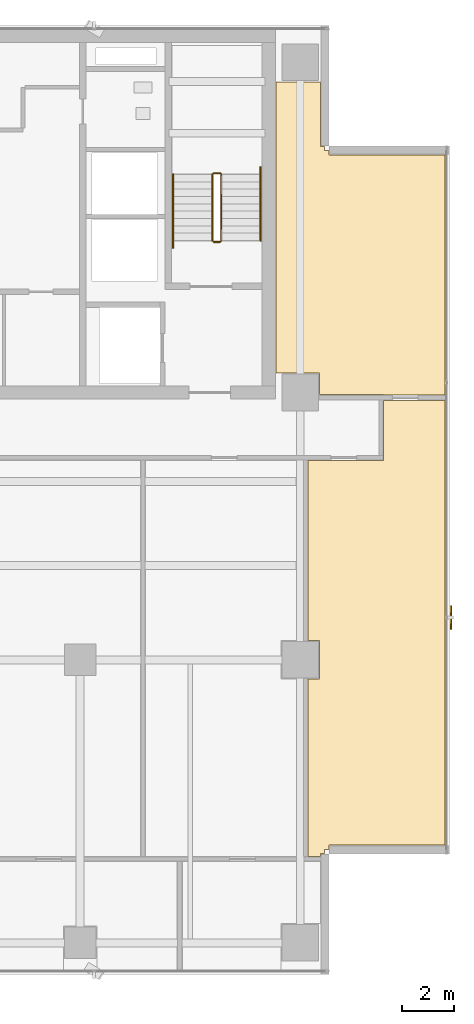
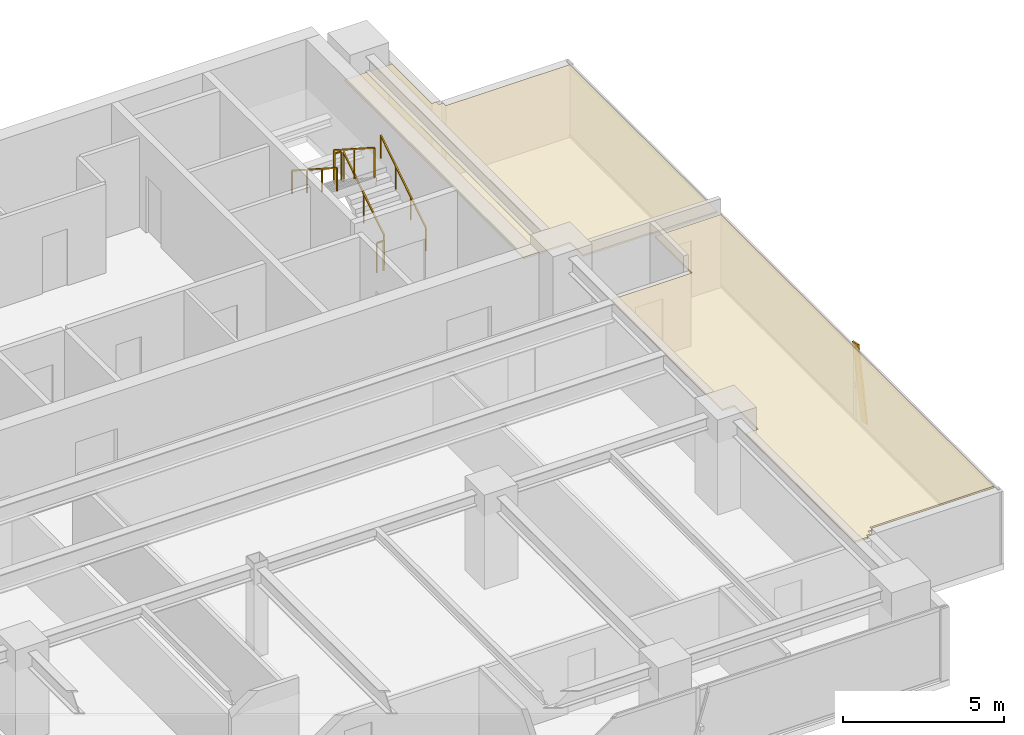
# One storey, part 25 of 27: 6 railings, 2 coverings, 1 shading device.
"""IFC4 building model written with IfcOpenShell, lengths in metres."""

from ifc_helpers import new_model, si_unit, direction, frame, origin, origin_2d, place, context, subcontext, project, spatial, polyline, rectangle, outline, extrude, source, transform, mapped, material, layer, layer_set, material_profile, profile_set, type_object, element, save


model = new_model("IFC4")

# Units and contexts
model_context = context("Model", 3, precision=1e-05, world=origin(), true_north=direction((0.0, 1.0)))
body_context = subcontext(model_context, "Body", "Model", "MODEL_VIEW")
ifc_project = project(units=[si_unit("LENGTHUNIT", "METRE"), si_unit("AREAUNIT", "SQUARE_METRE"), si_unit("VOLUMEUNIT", "CUBIC_METRE"), si_unit("PLANEANGLEUNIT", "RADIAN"), si_unit("MASSUNIT", "GRAM", prefix="KILO")], contexts=[model_context])

# Site, building, storey
site_placement = place(None, origin())
site = spatial("IfcSite", under=ifc_project, at=site_placement, CompositionType="ELEMENT")
building_placement = place(site_placement, origin())
building = spatial("IfcBuilding", under=site, at=building_placement, Name="Sumidabori Civic Tower", CompositionType="ELEMENT")
storey_placement = place(building_placement, frame((0.0, 0.0, 257.60009765625)))
storey = spatial("IfcBuildingStorey", under=building, at=storey_placement, Name="L67", CompositionType="ELEMENT", Elevation=257.60009765625)

# Coverings
ifc_material_1 = material(Name="Gypsum Coffered Acoustic Ceiling")
ifc_layer = layer(ifc_material_1, 0.06494140625, Name="Gypsum Coffered Acoustic Ceiling")
ifc_layer_set = layer_set([ifc_layer], Name="Gypsum Coffered Acoustic Ceiling")
covering_type = type_object("IfcCoveringType", Name="CV-CEIL-AC4", PredefinedType="CEILING", material=ifc_layer_set)
covering_1_placement = place(storey_placement, frame((0.0, 0.0, 2.719970703125)))
element("IfcCovering", 1, at=covering_1_placement, inside=storey, type_object=covering_type, Name="Room Acoustic Ceiling L67-02", PredefinedType="CEILING", context=body_context, shape_type="SweptSolid", body=[
    extrude(outline(polyline([(17.572021484375, 22.06005859375), (17.572021484375, 19.592041015625), (17.72998046875, 19.592041015625), (17.72998046875, 19.429931640625), (17.89208984375, 19.429931640625), (17.89208984375, 19.27197265625), (22.330078125, 19.27197265625), (22.330078125, 10.1025390625), (19.985107421875, 10.1025390625), (19.985107421875, 10.135009765625), (17.5400390625, 10.135009765625), (17.5400390625, 10.93994140625), (15.8779296875, 10.93994140625), (15.8779296875, 22.06005859375), (17.572021484375, 22.06005859375)])), origin(), (0.0, 0.0, 1.0), 0.06494140625),
])
covering_2_placement = place(storey_placement, frame((0.0, 0.0, 2.719970703125)))
element("IfcCovering", 2, at=covering_2_placement, inside=storey, type_object=covering_type, Name="Room Acoustic Ceiling L67-04", PredefinedType="CEILING", context=body_context, shape_type="SweptSolid", body=[
    extrude(outline(polyline([(17.1025390625, -0.739990234375), (17.5400390625, -0.739990234375), (17.5400390625, 0.739990234375), (17.1025390625, 0.739990234375), (17.1025390625, 7.614990234375), (19.985107421875, 7.614990234375), (19.985107421875, 9.8974609375), (22.330078125, 9.8974609375), (22.330078125, -7.072021484375), (17.89208984375, -7.072021484375), (17.89208984375, -7.22998046875), (17.72998046875, -7.22998046875), (17.72998046875, -7.39208984375), (17.572021484375, -7.39208984375), (17.572021484375, -7.49755859375), (17.1025390625, -7.49755859375), (17.1025390625, -0.739990234375)])), origin(), (0.0, 0.0, 1.0), 0.06494140625),
])

# Railings
ifc_material_2 = material(Name="Stainless Steel Hairline Finish", Category="steel")
railing_type_1 = type_object("IfcRailingType", Name="RL-HANDRAIL", PredefinedType="HANDRAIL", material=ifc_material_2)
railing_1_placement = place(storey_placement, frame((15.2900390625, 16.0, 0.179931640625)))
element("IfcRailing", 3, at=railing_1_placement, inside=storey, type_object=railing_type_1, Name="L67 ST-2 stair handrail 1", PredefinedType="HANDRAIL", context=body_context, shape_type="SweptSolid", body=[
    extrude(rectangle(XDim=0.048095703125, YDim=0.048095703125, at=origin_2d()), frame((0.0, 0.0, 0.8759765625), z_axis=(0.0, 0.840675598268, 0.541539046124), x_axis=(-1.0, 0.0, 0.0)), (0.0, 0.0, 1.0), 3.330810546875),
    extrude(rectangle(XDim=0.0419921875, YDim=0.0419921875, at=origin_2d()), origin(), (0.0, 0.0, 1.0), 0.851806640625),
    extrude(rectangle(XDim=0.0419921875, YDim=0.0419921875, at=origin_2d()), frame((0.0, 0.933349609375, 0.601318359375)), (0.0, 0.0, 1.0), 0.851806640625),
    extrude(rectangle(XDim=0.0419921875, YDim=0.0419921875, at=origin_2d()), frame((0.0, 1.86669921875, 1.202392578125)), (0.0, 0.0, 1.0), 0.851806640625),
    extrude(rectangle(XDim=0.0419921875, YDim=0.0419921875, at=origin_2d()), frame((0.0, 2.800048828125, 1.8037109375)), (0.0, 0.0, 1.0), 0.851806640625),
])
railing_2_placement = place(storey_placement, frame((11.949951171875, 18.52001953125, 1.97998046875)))
element("IfcRailing", 4, at=railing_2_placement, inside=storey, type_object=railing_type_1, Name="L67 ST-2 stair handrail 2", PredefinedType="HANDRAIL", context=body_context, shape_type="SweptSolid", body=[
    extrude(rectangle(XDim=0.048095703125, YDim=0.048095703125, at=origin_2d()), frame((0.0, 0.0, 0.8759765625), z_axis=(0.0, -0.840675598268, 0.541539046124), x_axis=(1.0, 0.0, 0.0)), (0.0, 0.0, 1.0), 3.330810546875),
    extrude(rectangle(XDim=0.0419921875, YDim=0.0419921875, at=origin_2d()), origin(), (0.0, 0.0, 1.0), 0.851806640625),
    extrude(rectangle(XDim=0.0419921875, YDim=0.0419921875, at=origin_2d()), frame((0.0, -0.933349609375, 0.601318359375)), (0.0, 0.0, 1.0), 0.851806640625),
    extrude(rectangle(XDim=0.0419921875, YDim=0.0419921875, at=origin_2d()), frame((0.0, -1.86669921875, 1.202392578125)), (0.0, 0.0, 1.0), 0.851806640625),
    extrude(rectangle(XDim=0.0419921875, YDim=0.0419921875, at=origin_2d()), frame((0.0, -2.800048828125, 1.8037109375)), (0.0, 0.0, 1.0), 0.851806640625),
])
ifc_material_3 = material(Name="Steel SN490", Category="steel")
railing_type_2 = type_object("IfcRailingType", Name="RL-STAIR-GUARD", PredefinedType="GUARDRAIL", material=ifc_material_3)
railing_3_placement = place(storey_placement, frame((13.7900390625, 16.0, 0.179931640625)))
element("IfcRailing", 5, at=railing_3_placement, inside=storey, type_object=railing_type_2, Name="L67 ST-2 stair guard 1", PredefinedType="GUARDRAIL", context=body_context, shape_type="SweptSolid", body=[
    extrude(rectangle(XDim=0.048095703125, YDim=0.048095703125, at=origin_2d()), frame((0.0, 0.0, 1.1259765625), z_axis=(0.0, 0.841199657755, 0.540724639528), x_axis=(-1.0, 0.0, 0.0)), (0.0, 0.0, 1.0), 2.995849609375),
    extrude(rectangle(XDim=0.0419921875, YDim=0.0419921875, at=origin_2d()), origin(), (0.0, 0.0, 1.0), 1.101806640625),
    extrude(rectangle(XDim=0.0419921875, YDim=0.0419921875, at=origin_2d()), frame((0.0, 1.260009765625, 0.81005859375)), (0.0, 0.0, 1.0), 1.101806640625),
    extrude(rectangle(XDim=0.0419921875, YDim=0.0419921875, at=origin_2d()), frame((0.0, 2.52001953125, 1.619873046875)), (0.0, 0.0, 1.0), 1.101806640625),
])
railing_4_placement = place(storey_placement, frame((13.739990234375, 18.570068359375, 1.7998046875)))
element("IfcRailing", 6, at=railing_4_placement, inside=storey, type_object=railing_type_2, Name="L67 ST-2 stair guard 2", PredefinedType="GUARDRAIL", context=body_context, shape_type="SweptSolid", body=[
    extrude(rectangle(XDim=0.048095703125, YDim=0.048095703125, at=origin_2d()), frame((0.0, 0.0, 1.1259765625), z_axis=(-1.0, 0.0, 0.0), x_axis=(0.0, -1.0, 0.0)), (0.0, 0.0, 1.0), 0.239990234375),
    extrude(rectangle(XDim=0.0419921875, YDim=0.0419921875, at=origin_2d()), origin(), (0.0, 0.0, 1.0), 1.101806640625),
    extrude(rectangle(XDim=0.0419921875, YDim=0.0419921875, at=origin_2d()), frame((-0.239990234375, 0.0, 0.0)), (0.0, 0.0, 1.0), 1.101806640625),
])
railing_5_placement = place(storey_placement, frame((13.449951171875, 18.52001953125, 1.97998046875)))
element("IfcRailing", 7, at=railing_5_placement, inside=storey, type_object=railing_type_2, Name="L67 ST-2 stair guard 3", PredefinedType="GUARDRAIL", context=body_context, shape_type="SweptSolid", body=[
    extrude(rectangle(XDim=0.048095703125, YDim=0.048095703125, at=origin_2d()), frame((0.0, 0.0, 1.1259765625), z_axis=(0.0, -0.841199657755, 0.540724639528), x_axis=(1.0, 0.0, 0.0)), (0.0, 0.0, 1.0), 2.995849609375),
    extrude(rectangle(XDim=0.0419921875, YDim=0.0419921875, at=origin_2d()), origin(), (0.0, 0.0, 1.0), 1.101806640625),
    extrude(rectangle(XDim=0.0419921875, YDim=0.0419921875, at=origin_2d()), frame((0.0, -1.260009765625, 0.81005859375)), (0.0, 0.0, 1.0), 1.101806640625),
    extrude(rectangle(XDim=0.0419921875, YDim=0.0419921875, at=origin_2d()), frame((0.0, -2.52001953125, 1.619873046875)), (0.0, 0.0, 1.0), 1.101806640625),
])
railing_6_placement = place(storey_placement, frame((13.739990234375, 15.949951171875, 0.0)))
element("IfcRailing", 8, at=railing_6_placement, inside=storey, type_object=railing_type_2, Name="L67 ST-2 stair guard 4", PredefinedType="GUARDRAIL", context=body_context, shape_type="SweptSolid", body=[
    extrude(rectangle(XDim=0.048095703125, YDim=0.048095703125, at=origin_2d()), frame((0.0, 0.0, 1.1259765625), z_axis=(-1.0, 0.0, 0.0), x_axis=(0.0, -1.0, 0.0)), (0.0, 0.0, 1.0), 0.239990234375),
    extrude(rectangle(XDim=0.0419921875, YDim=0.0419921875, at=origin_2d()), origin(), (0.0, 0.0, 1.0), 1.101806640625),
    extrude(rectangle(XDim=0.0419921875, YDim=0.0419921875, at=origin_2d()), frame((-0.239990234375, 0.0, 0.0)), (0.0, 0.0, 1.0), 1.101806640625),
])

# Shading device
ifc_material_4 = material(Name="Anodised Bronze Aluminium AW-6063-T6", Category="aluminium")
ifc_material_profile = material_profile(ifc_material_4, rectangle(XDim=0.054931640625, YDim=0.360107421875, at=origin_2d()), Name="BRONZE FIN 360x55")
ifc_profile_set = profile_set([ifc_material_profile], Name="Anodised Bronze Aluminium AW-6063-T6")
shading_device_type = type_object("IfcShadingDeviceType", Name="SH-FIN-360", PredefinedType="USERDEFINED", material=ifc_profile_set)
shared_shape = source(origin(), body_context, "Body", "SweptSolid", [
    extrude(rectangle(XDim=0.054931640625, YDim=0.360107421875, at=origin_2d()), origin(), (0.0, 0.0, 1.0), 2.74755859375),
])
shading_device_placement = place(storey_placement, frame((22.550048828125, 1.330078125, 0.02001953125), z_axis=(0.0, 0.203748445037, 0.979023274057), x_axis=(-1.0, 0.0, 0.0)))
element("IfcShadingDevice", 9, at=shading_device_placement, inside=storey, type_object=shading_device_type, Name="Bronze Anodised Diagonal Fin L67-01", ObjectType="FIN", PredefinedType="USERDEFINED", context=body_context, shape_type="MappedRepresentation", body=[
    mapped(shared_shape, transform((0.0, 0.0, 0.0), x_axis=(1.0, 0.0, 0.0), y_axis=(0.0, 1.0, 0.0), z_axis=(0.0, 0.0, 1.0), scale=1.0)),
])

save(model, "model.ifc")
